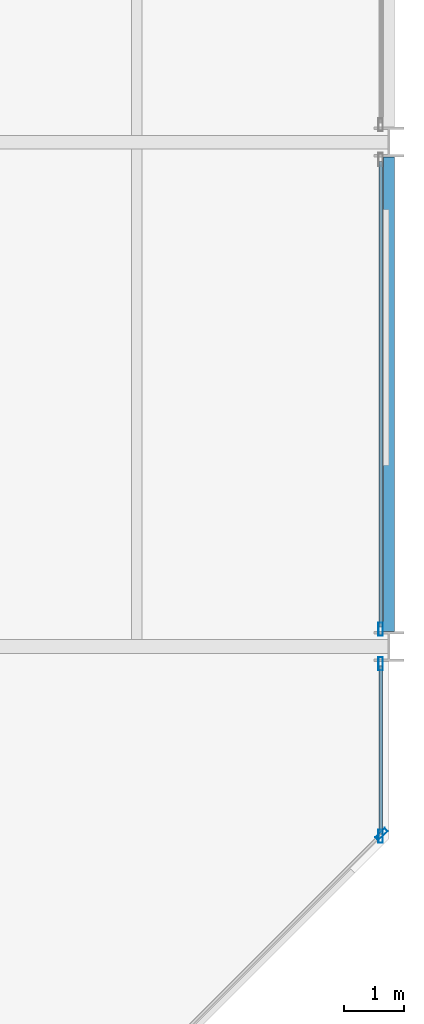
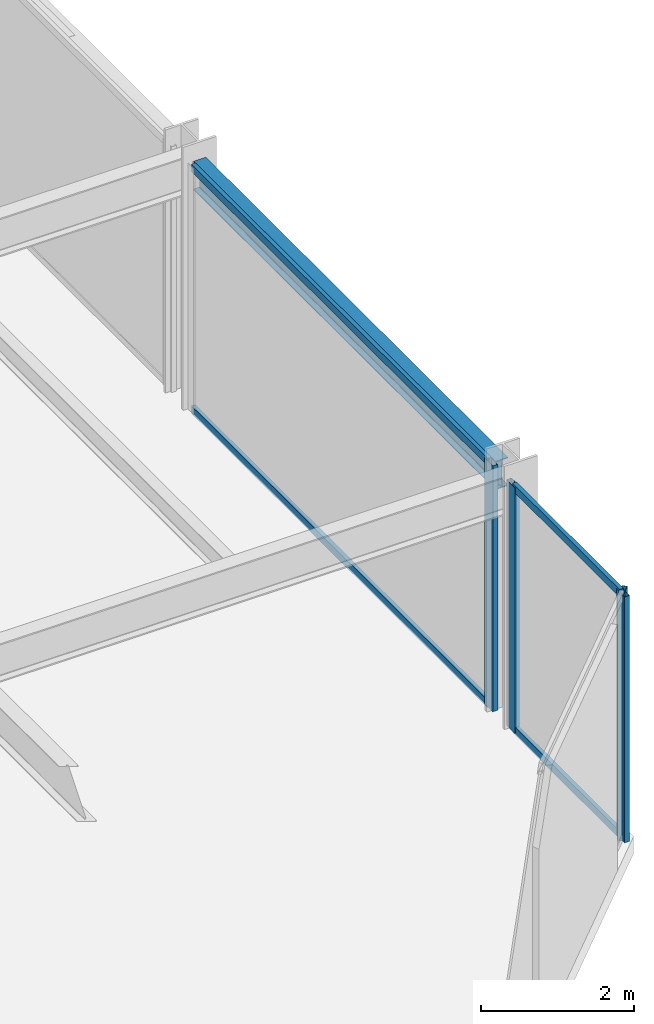
# One storey, part 11 of 24: 8 members, 1 beam, 3 elements without a shape of their own.
"""IFC4 building model written with IfcOpenShell, lengths in metres."""

from ifc_helpers import new_model, si_unit, direction, frame, origin, origin_2d, place, context, subcontext, project, spatial, hollow_rectangle, i_section, extrude, material, layer, layer_set, material_profile, profile_set, type_object, element, aggregate, save


model = new_model("IFC4")

# Units and contexts
model_context = context("Model", 3, precision=1e-05, world=origin(), true_north=direction((0.0, 1.0)))
body_context = subcontext(model_context, "Body", "Model", "MODEL_VIEW")
ifc_project = project(units=[si_unit("LENGTHUNIT", "METRE"), si_unit("AREAUNIT", "SQUARE_METRE"), si_unit("VOLUMEUNIT", "CUBIC_METRE"), si_unit("PLANEANGLEUNIT", "RADIAN"), si_unit("MASSUNIT", "GRAM", prefix="KILO")], contexts=[model_context])

# Site, building, storey
site_placement = place(None, origin())
site = spatial("IfcSite", under=ifc_project, at=site_placement, CompositionType="ELEMENT")
building_placement = place(site_placement, origin())
building = spatial("IfcBuilding", under=site, at=building_placement, Name="Nerrivon Quay Data Exchange", CompositionType="ELEMENT")
storey_placement = place(building_placement, frame((0.0, 0.0, 37.39990234375)))
storey = spatial("IfcBuildingStorey", under=building, at=storey_placement, Name="L08", CompositionType="ELEMENT", Elevation=37.39990234375)

# Beam
ifc_material_1 = material(Name="Steel Grade 350", Category="steel")
ifc_material_profile_1 = material_profile(ifc_material_1, i_section(OverallWidth=0.18994140625, OverallDepth=0.4541015625, WebThickness=0.008544921875, FlangeThickness=0.0126953125, FilletRadius=0.011474609375, at=origin_2d()), Name="460UB67.1")
ifc_profile_set_1 = profile_set([ifc_material_profile_1], Name="Steel Grade 350")
beam_type = type_object("IfcBeamType", Name="BM-SP1-460UB67", PredefinedType="SPANDREL", material=ifc_profile_set_1)
beam_placement = place(storey_placement, frame((50.39990234375, 8.64990234375, 3.697998046875), z_axis=(0.0, 1.0, 0.0), x_axis=(-1.0, 0.0, 0.0)))
element("IfcBeam", 1, at=beam_placement, inside=storey, type_object=beam_type, Name="L08 NS Girder X=50.4 (8.4..16.8)", PredefinedType="SPANDREL", context=body_context, shape_type="SweptSolid", body=[
    extrude(i_section(OverallWidth=0.18994140625, OverallDepth=0.4541015625, WebThickness=0.008544921875, FlangeThickness=0.0126953125, FilletRadius=0.011474609375, at=origin_2d()), origin(), (0.0, 0.0, 1.0), 7.900146484375),
])

# Curtain wall, member
ifc_material_2 = material(Name="Anodised aluminium 6063-T6", Category="aluminium")
ifc_layer = layer(ifc_material_2, 0.219970703125)
ifc_layer_set = layer_set([ifc_layer], Name="Anodised aluminium 6063-T6")
curtain_wall_type = type_object("IfcCurtainWallType", Name="CW-SYS-01", PredefinedType="NOTDEFINED", material=ifc_layer_set)
curtain_wall_1_placement = place(storey_placement, origin())
curtain_wall_1 = element("IfcCurtainWall", 2, at=curtain_wall_1_placement, inside=storey, type_object=curtain_wall_type, Name="L08 Unitised Curtain Wall 1", PredefinedType="NOTDEFINED")
ifc_material_profile_2 = material_profile(ifc_material_2, hollow_rectangle(XDim=0.074951171875, YDim=0.219970703125, WallThickness=0.00390625, at=origin_2d()), Name="ALU-MULL-220x75")
ifc_profile_set_2 = profile_set([ifc_material_profile_2], Name="Anodised aluminium 6063-T6")
member_type_1 = type_object("IfcMemberType", Name="CWM-220x75", PredefinedType="MULLION", material=ifc_profile_set_2)
member_1_placement = place(storey_placement, frame((50.2744140625, 5.2724609375, 0.0), z_axis=(0.0, 0.0, 1.0), x_axis=(0.707106781187, -0.707106781187, 0.0)))
member_1 = element("IfcMember", 3, at=member_1_placement, type_object=member_type_1, Name="CW01 mullion 1", PredefinedType="MULLION", context=body_context, shape_type="SweptSolid", body=[
    extrude(hollow_rectangle(XDim=0.074951171875, YDim=0.219970703125, WallThickness=0.00390625, at=origin_2d()), origin(), (0.0, 0.0, 1.0), 3.925048828125),
])
aggregate(curtain_wall_1, [member_1])

curtain_wall_2_placement = place(storey_placement, origin())
curtain_wall_2 = element("IfcCurtainWall", 4, at=curtain_wall_2_placement, inside=storey, type_object=curtain_wall_type, Name="L08 Unitised Curtain Wall 32", PredefinedType="NOTDEFINED")
member_2_placement = place(storey_placement, frame((50.260009765625, 8.6875, 0.0), z_axis=(0.0, 0.0, 1.0), x_axis=(1.0, 0.0, 0.0)))
member_2 = element("IfcMember", 5, at=member_2_placement, type_object=member_type_1, Name="CW01 mullion 2", PredefinedType="MULLION", context=body_context, shape_type="SweptSolid", body=[
    extrude(hollow_rectangle(XDim=0.074951171875, YDim=0.219970703125, WallThickness=0.00390625, at=origin_2d()), origin(), (0.0, 0.0, 1.0), 3.925048828125),
])

# Curtain wall, members
curtain_wall_3_placement = place(storey_placement, origin())
curtain_wall_3 = element("IfcCurtainWall", 6, at=curtain_wall_3_placement, inside=storey, type_object=curtain_wall_type, Name="L08 Unitised Curtain Wall 33", PredefinedType="NOTDEFINED")
member_3_placement = place(storey_placement, frame((50.260009765625, 8.112548828125, 0.0), z_axis=(0.0, 0.0, 1.0), x_axis=(1.0, 0.0, 0.0)))
member_3 = element("IfcMember", 7, at=member_3_placement, type_object=member_type_1, Name="CW01 mullion 1", PredefinedType="MULLION", context=body_context, shape_type="SweptSolid", body=[
    extrude(hollow_rectangle(XDim=0.074951171875, YDim=0.219970703125, WallThickness=0.00390625, at=origin_2d()), origin(), (0.0, 0.0, 1.0), 3.925048828125),
])
member_4_placement = place(storey_placement, frame((50.260009765625, 5.237548828125, 0.0), z_axis=(0.0, 0.0, 1.0), x_axis=(1.0, 0.0, 0.0)))
member_4 = element("IfcMember", 8, at=member_4_placement, type_object=member_type_1, Name="CW01 mullion 2", PredefinedType="MULLION", context=body_context, shape_type="SweptSolid", body=[
    extrude(hollow_rectangle(XDim=0.074951171875, YDim=0.219970703125, WallThickness=0.00390625, at=origin_2d()), origin(), (0.0, 0.0, 1.0), 3.925048828125),
])

# Member
ifc_material_profile_3 = material_profile(ifc_material_2, hollow_rectangle(XDim=0.06005859375, YDim=0.1201171875, WallThickness=0.003173828125, at=origin_2d()), Name="ALU-TRAN-120x60")
ifc_profile_set_3 = profile_set([ifc_material_profile_3], Name="Anodised aluminium 6063-T6")
member_type_2 = type_object("IfcMemberType", Name="CWT-120x60", PredefinedType="USERDEFINED", material=ifc_profile_set_3)
member_5_placement = place(storey_placement, frame((50.260009765625, 16.47509765625, 0.03271484375), z_axis=(0.0, -1.0, 0.0), x_axis=(1.0, 0.0, 0.0)))
member_5 = element("IfcMember", 9, at=member_5_placement, type_object=member_type_2, Name="CW01 transom 1.1", ObjectType="TRANSOM", PredefinedType="USERDEFINED", context=body_context, shape_type="SweptSolid", body=[
    extrude(hollow_rectangle(XDim=0.06005859375, YDim=0.1201171875, WallThickness=0.003173828125, at=origin_2d()), origin(), (0.0, 0.0, 1.0), 7.75),
])

member_6_placement = place(storey_placement, frame((50.260009765625, 16.47509765625, 3.892578125), z_axis=(0.0, -1.0, 0.0), x_axis=(1.0, 0.0, 0.0)))
member_6 = element("IfcMember", 10, at=member_6_placement, type_object=member_type_2, Name="CW01 transom 1.2", ObjectType="TRANSOM", PredefinedType="USERDEFINED", context=body_context, shape_type="SweptSolid", body=[
    extrude(hollow_rectangle(XDim=0.06005859375, YDim=0.1201171875, WallThickness=0.003173828125, at=origin_2d()), origin(), (0.0, 0.0, 1.0), 7.75),
])

aggregate(curtain_wall_2, [member_2, member_5, member_6])

member_7_placement = place(storey_placement, frame((50.260009765625, 8.074951171875, 0.03271484375), z_axis=(0.0, -1.0, 0.0), x_axis=(1.0, 0.0, 0.0)))
member_7 = element("IfcMember", 11, at=member_7_placement, type_object=member_type_2, Name="CW01 transom 1.1", ObjectType="TRANSOM", PredefinedType="USERDEFINED", context=body_context, shape_type="SweptSolid", body=[
    extrude(hollow_rectangle(XDim=0.06005859375, YDim=0.1201171875, WallThickness=0.003173828125, at=origin_2d()), origin(), (0.0, 0.0, 1.0), 2.800048828125),
])

member_8_placement = place(storey_placement, frame((50.260009765625, 8.074951171875, 3.892578125), z_axis=(0.0, -1.0, 0.0), x_axis=(1.0, 0.0, 0.0)))
member_8 = element("IfcMember", 12, at=member_8_placement, type_object=member_type_2, Name="CW01 transom 1.2", ObjectType="TRANSOM", PredefinedType="USERDEFINED", context=body_context, shape_type="SweptSolid", body=[
    extrude(hollow_rectangle(XDim=0.06005859375, YDim=0.1201171875, WallThickness=0.003173828125, at=origin_2d()), origin(), (0.0, 0.0, 1.0), 2.800048828125),
])

aggregate(curtain_wall_3, [member_3, member_4, member_7, member_8])

save(model, "model.ifc")
